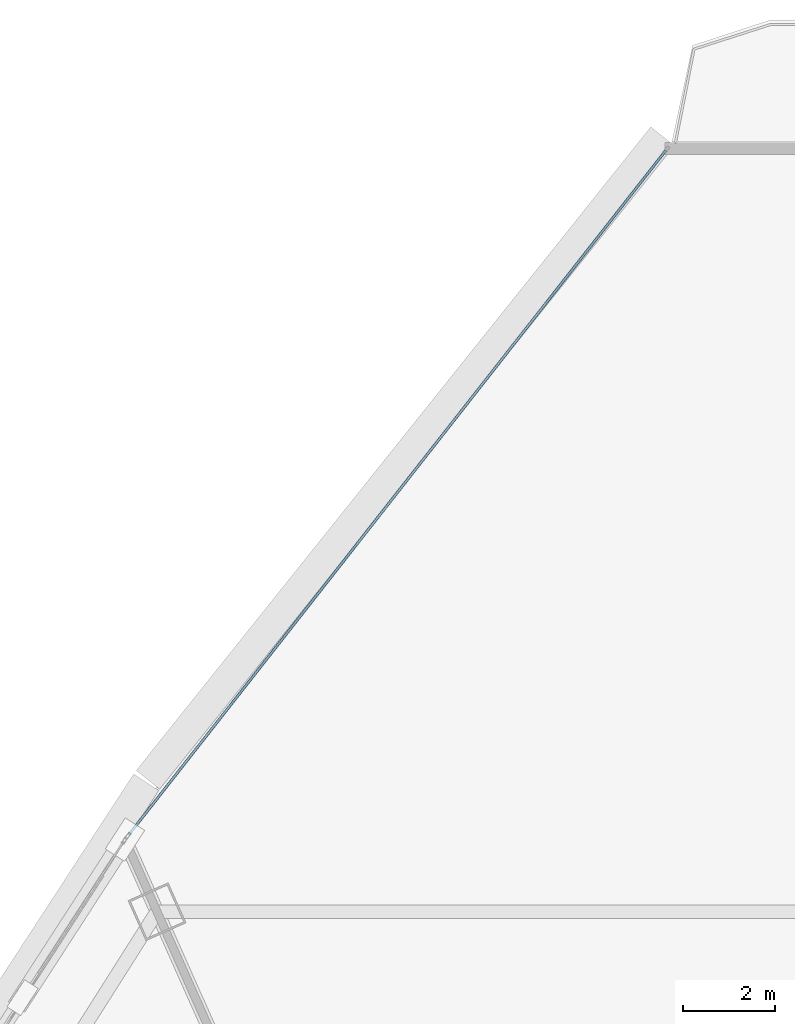
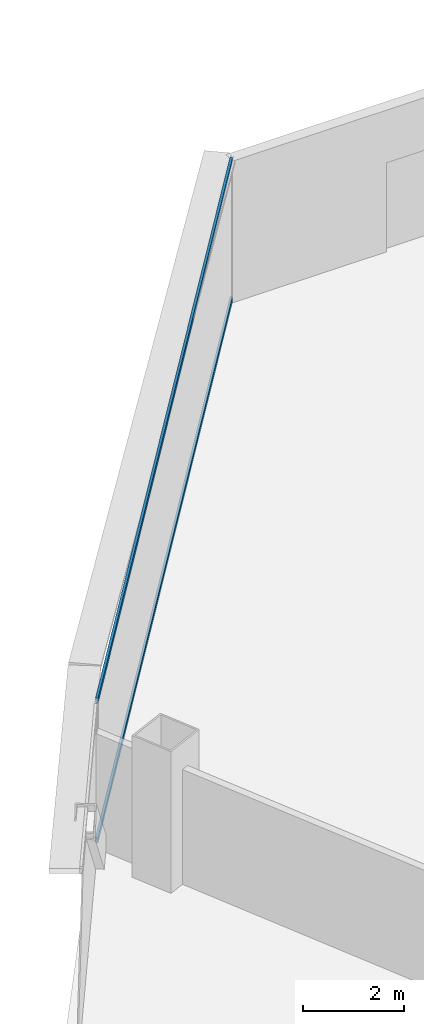
# One storey, part 28 of 39: 2 members, 1 element without a shape of its own.
"""IFC4 building model written with IfcOpenShell, lengths in metres."""

from ifc_helpers import new_model, si_unit, direction, frame, origin, origin_2d, place, context, subcontext, project, spatial, hollow_rectangle, extrude, source, transform, mapped, material, layer, layer_set, material_profile, profile_set, type_object, element, aggregate, save


model = new_model("IFC4")

# Units and contexts
model_context = context("Model", 3, precision=1e-05, world=origin(), true_north=direction((0.0, 1.0)))
body_context = subcontext(model_context, "Body", "Model", "MODEL_VIEW")
ifc_project = project(units=[si_unit("LENGTHUNIT", "METRE"), si_unit("AREAUNIT", "SQUARE_METRE"), si_unit("VOLUMEUNIT", "CUBIC_METRE"), si_unit("PLANEANGLEUNIT", "RADIAN"), si_unit("MASSUNIT", "GRAM", prefix="KILO"), si_unit("THERMODYNAMICTEMPERATUREUNIT", "KELVIN"), si_unit("POWERUNIT", "WATT")], contexts=[model_context])

# Site, building, storey
site_placement = place(None, origin())
site = spatial("IfcSite", under=ifc_project, at=site_placement, CompositionType="ELEMENT")
building_placement = place(site_placement, origin())
building = spatial("IfcBuilding", under=site, at=building_placement, Name="Yunzhuo Pagoda Commons", CompositionType="ELEMENT")
storey_placement = place(building_placement, frame((0.0, 0.0, 144.550048828125)))
storey = spatial("IfcBuildingStorey", under=building, at=storey_placement, Name="L36", CompositionType="ELEMENT", Elevation=144.550048828125)

# Curtain wall, members
ifc_material = material(Name="Anodized aluminium 6063-T6", Category="aluminium")
ifc_layer = layer(ifc_material, 0.14990234375)
ifc_layer_set = layer_set([ifc_layer], Name="Anodized aluminium 6063-T6")
curtain_wall_type = type_object("IfcCurtainWallType", Name="CW-MID Mid-Zone Ribbon Curtain Wall", PredefinedType="NOTDEFINED", material=ifc_layer_set)
curtain_wall_placement = place(storey_placement, origin())
curtain_wall = element("IfcCurtainWall", 1, at=curtain_wall_placement, inside=storey, type_object=curtain_wall_type, Name="L36 curtain wall CW-L36-F3B1", PredefinedType="NOTDEFINED")
ifc_material_profile = material_profile(ifc_material, hollow_rectangle(XDim=0.054931640625, YDim=0.1298828125, WallThickness=0.00341796875, at=origin_2d()), Name="Anodized aluminium 6063-T6")
ifc_profile_set = profile_set([ifc_material_profile], Name="Anodized aluminium 6063-T6")
member_type = type_object("IfcMemberType", Name="CW-MID-T Transom RHS 130x55x3.5", PredefinedType="USERDEFINED", material=ifc_profile_set)
shared_shape = source(origin(), body_context, "Body", "SweptSolid", [
    extrude(hollow_rectangle(XDim=0.054931640625, YDim=0.1298828125, WallThickness=0.00341796875, at=origin_2d()), origin(), (0.0, 0.0, 1.0), 18.82861328125),
])
member_1_placement = place(storey_placement, frame((43.60693359375, 84.781005859375, 0.02734375), z_axis=(-0.617384524017, -0.786661521561, 0.0), x_axis=(0.786661521561, -0.617384524017, 0.0)))
member_1 = element("IfcMember", 2, at=member_1_placement, type_object=member_type, Name="CW transom 1.1", ObjectType="TRANSOM", PredefinedType="USERDEFINED", context=body_context, shape_type="MappedRepresentation", body=[
    mapped(shared_shape, transform((0.0, 0.0, 0.0), scale=1.0)),
])
member_2_placement = place(storey_placement, frame((43.60693359375, 84.781005859375, 3.392333984375), z_axis=(-0.617384524017, -0.786661521561, 0.0), x_axis=(0.786661521561, -0.617384524017, 0.0)))
member_2 = element("IfcMember", 3, at=member_2_placement, type_object=member_type, Name="CW transom 1.2", ObjectType="TRANSOM", PredefinedType="USERDEFINED", context=body_context, shape_type="MappedRepresentation", body=[
    mapped(shared_shape, transform((0.0, 0.0, 0.0), scale=1.0)),
])
aggregate(curtain_wall, [member_1, member_2])

save(model, "model.ifc")
